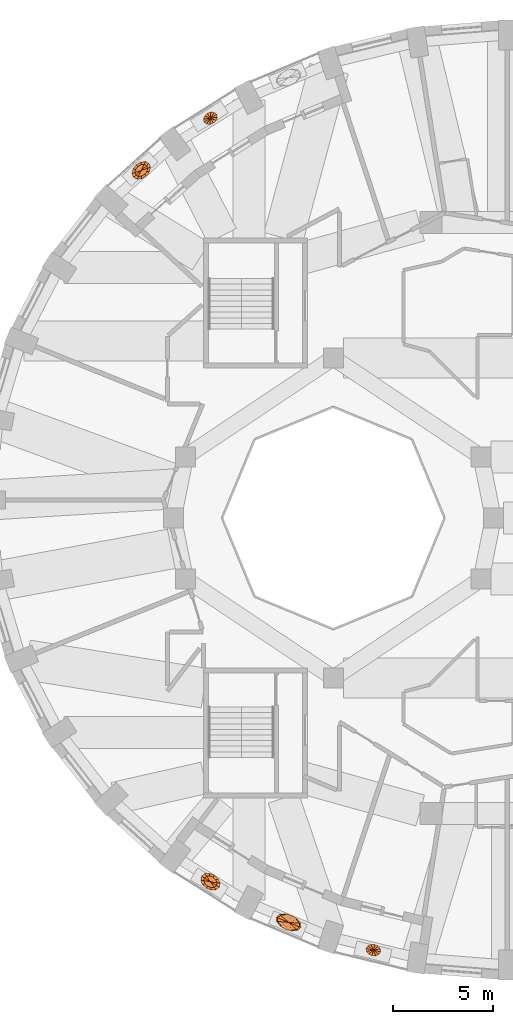
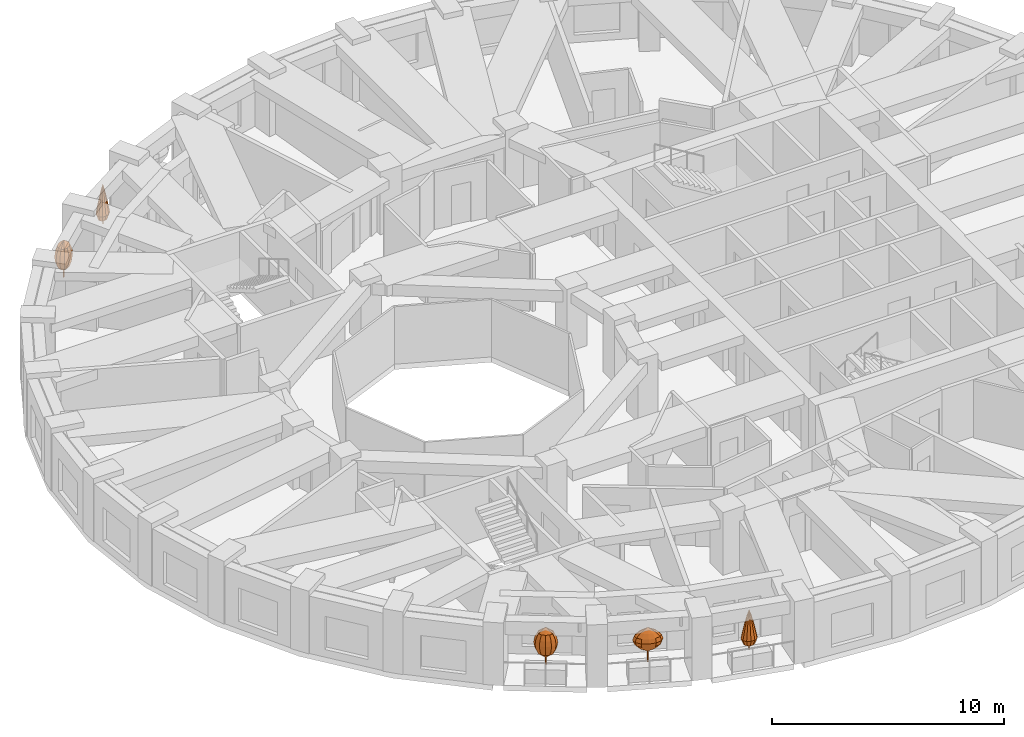
# One storey, part 11 of 12: 5 geographic elements.
"""IFC4 building model written with IfcOpenShell, lengths in metres."""

from ifc_helpers import new_model, si_unit, direction, frame, origin, place, context, subcontext, project, spatial, faceted_brep, material, constituent, constituent_set, type_object, element, save


model = new_model("IFC4")

# Units and contexts
model_context = context("Model", 3, precision=1e-05, world=origin(), true_north=direction((0.0, 1.0)))
body_context = subcontext(model_context, "Body", "Model", "MODEL_VIEW")
ifc_project = project(units=[si_unit("LENGTHUNIT", "METRE"), si_unit("AREAUNIT", "SQUARE_METRE"), si_unit("VOLUMEUNIT", "CUBIC_METRE"), si_unit("PLANEANGLEUNIT", "RADIAN"), si_unit("MASSUNIT", "GRAM", prefix="KILO")], contexts=[model_context])

# Site, building, storey
site_placement = place(None, origin())
site = spatial("IfcSite", under=ifc_project, at=site_placement, CompositionType="ELEMENT")
building_placement = place(site_placement, origin())
building = spatial("IfcBuilding", under=site, at=building_placement, Name="Taillehof Tower", CompositionType="ELEMENT")
storey_placement = place(building_placement, frame((0.0, 0.0, 209.0)))
storey = spatial("IfcBuildingStorey", under=building, at=storey_placement, Name="L59", CompositionType="ELEMENT", Elevation=209.0)

# Geographic elements
ifc_material_1 = material(Name="Tree bark", Category="timber")
ifc_constituent_1 = constituent(ifc_material_1, Name="Trunk", Category="timber")
ifc_material_2 = material(Name="Tree foliage")
ifc_constituent_2 = constituent(ifc_material_2, Name="Crown")
ifc_constituent_set_1 = constituent_set(constituents=[ifc_constituent_1, ifc_constituent_2], Name="Tree TR2 Fastigiate yew")
geographic_element_type_1 = type_object("IfcGeographicElementType", Name="Tree TR2 Fastigiate yew", PredefinedType="USERDEFINED", material=ifc_constituent_set_1)
geographic_element_1_placement = place(storey_placement, frame((-14.14501953125, -18.188232421875, 0.75)))
element("IfcGeographicElement", 1, at=geographic_element_1_placement, inside=storey, type_object=geographic_element_type_1, Name="Tree TR2 Fastigiate yew", ObjectType="TREE", PredefinedType="USERDEFINED", context=body_context, shape_type="Brep", body=[
    faceted_brep([(0.034912109375, 0.0, 0.0), (0.024658203125, 0.024658203125, 0.0), (0.024658203125, 0.024658203125, 0.909912109375), (0.034912109375, 0.0, 0.909912109375), (0.0, 0.034912109375, 0.0), (0.0, 0.034912109375, 0.909912109375), (-0.024658203125, 0.024658203125, 0.0), (-0.024658203125, 0.024658203125, 0.909912109375), (-0.034912109375, 0.0, 0.0), (-0.034912109375, 0.0, 0.909912109375), (-0.024658203125, -0.024658203125, 0.0), (-0.024658203125, -0.024658203125, 0.909912109375), (0.0, -0.034912109375, 0.0), (0.0, -0.034912109375, 0.909912109375), (0.024658203125, -0.024658203125, 0.0), (0.024658203125, -0.024658203125, 0.909912109375)], [[[0, 1, 2, 3]], [[1, 4, 5, 2]], [[4, 6, 7, 5]], [[6, 8, 9, 7]], [[8, 10, 11, 9]], [[10, 12, 13, 11]], [[12, 14, 15, 13]], [[14, 0, 3, 15]], [[14, 12, 10, 8, 6, 4, 1, 0]], [[3, 2, 5, 7, 9, 11, 13, 15]]]),
    faceted_brep([(0.0, 0.0, 0.35009765625), (0.33056640625, -0.054931640625, 0.61669921875), (0.302001953125, -0.190185546875, 0.61669921875), (0.270751953125, 0.09521484375, 0.61669921875), (0.138427734375, 0.2197265625, 0.61669921875), (-0.03125, 0.285400390625, 0.61669921875), (-0.1923828125, 0.2744140625, 0.61669921875), (-0.302001953125, 0.190185546875, 0.61669921875), (-0.33056640625, 0.054931640625, 0.61669921875), (-0.270751953125, -0.09521484375, 0.61669921875), (-0.138427734375, -0.2197265625, 0.61669921875), (0.03125, -0.285400390625, 0.61669921875), (0.1923828125, -0.2744140625, 0.61669921875), (0.447265625, -0.07421875, 0.88330078125), (0.408447265625, -0.25732421875, 0.88330078125), (0.3662109375, 0.128662109375, 0.88330078125), (0.18701171875, 0.297119140625, 0.88330078125), (-0.042236328125, 0.385986328125, 0.88330078125), (-0.26025390625, 0.371337890625, 0.88330078125), (-0.408447265625, 0.25732421875, 0.88330078125), (-0.447265625, 0.07421875, 0.88330078125), (-0.3662109375, -0.128662109375, 0.88330078125), (-0.18701171875, -0.297119140625, 0.88330078125), (0.042236328125, -0.385986328125, 0.88330078125), (0.26025390625, -0.371337890625, 0.88330078125), (0.484130859375, -0.080322265625, 1.14990234375), (0.442138671875, -0.278564453125, 1.14990234375), (0.396484375, 0.13916015625, 1.14990234375), (0.20263671875, 0.321533203125, 1.14990234375), (-0.045654296875, 0.417724609375, 1.14990234375), (-0.28173828125, 0.40185546875, 1.14990234375), (-0.442138671875, 0.278564453125, 1.14990234375), (-0.484130859375, 0.080322265625, 1.14990234375), (-0.396484375, -0.13916015625, 1.14990234375), (-0.20263671875, -0.321533203125, 1.14990234375), (0.045654296875, -0.417724609375, 1.14990234375), (0.28173828125, -0.40185546875, 1.14990234375), (0.447265625, -0.07421875, 1.416748046875), (0.408447265625, -0.25732421875, 1.416748046875), (0.3662109375, 0.128662109375, 1.416748046875), (0.18701171875, 0.297119140625, 1.416748046875), (-0.042236328125, 0.385986328125, 1.416748046875), (-0.26025390625, 0.371337890625, 1.416748046875), (-0.408447265625, 0.25732421875, 1.416748046875), (-0.447265625, 0.07421875, 1.416748046875), (-0.3662109375, -0.128662109375, 1.416748046875), (-0.18701171875, -0.297119140625, 1.416748046875), (0.042236328125, -0.385986328125, 1.416748046875), (0.26025390625, -0.371337890625, 1.416748046875), (0.33056640625, -0.054931640625, 1.683349609375), (0.302001953125, -0.190185546875, 1.683349609375), (0.270751953125, 0.09521484375, 1.683349609375), (0.138427734375, 0.2197265625, 1.683349609375), (-0.03125, 0.285400390625, 1.683349609375), (-0.1923828125, 0.2744140625, 1.683349609375), (-0.302001953125, 0.190185546875, 1.683349609375), (-0.33056640625, 0.054931640625, 1.683349609375), (-0.270751953125, -0.09521484375, 1.683349609375), (-0.138427734375, -0.2197265625, 1.683349609375), (0.03125, -0.285400390625, 1.683349609375), (0.1923828125, -0.2744140625, 1.683349609375), (0.0, 0.0, 1.949951171875)], [[[0, 1, 2]], [[0, 3, 1]], [[0, 4, 3]], [[0, 5, 4]], [[0, 6, 5]], [[0, 7, 6]], [[0, 8, 7]], [[0, 9, 8]], [[0, 10, 9]], [[0, 11, 10]], [[0, 12, 11]], [[0, 2, 12]], [[2, 1, 13, 14]], [[1, 3, 15, 13]], [[3, 4, 16, 15]], [[4, 5, 17, 16]], [[5, 6, 18, 17]], [[6, 7, 19, 18]], [[7, 8, 20, 19]], [[8, 9, 21, 20]], [[9, 10, 22, 21]], [[10, 11, 23, 22]], [[11, 12, 24, 23]], [[12, 2, 14, 24]], [[14, 13, 25, 26]], [[13, 15, 27, 25]], [[15, 16, 28, 27]], [[16, 17, 29, 28]], [[17, 18, 30, 29]], [[18, 19, 31, 30]], [[19, 20, 32, 31]], [[20, 21, 33, 32]], [[21, 22, 34, 33]], [[22, 23, 35, 34]], [[23, 24, 36, 35]], [[24, 14, 26, 36]], [[26, 25, 37, 38]], [[25, 27, 39, 37]], [[27, 28, 40, 39]], [[28, 29, 41, 40]], [[29, 30, 42, 41]], [[30, 31, 43, 42]], [[31, 32, 44, 43]], [[32, 33, 45, 44]], [[33, 34, 46, 45]], [[34, 35, 47, 46]], [[35, 36, 48, 47]], [[36, 26, 38, 48]], [[38, 37, 49, 50]], [[37, 39, 51, 49]], [[39, 40, 52, 51]], [[40, 41, 53, 52]], [[41, 42, 54, 53]], [[42, 43, 55, 54]], [[43, 44, 56, 55]], [[44, 45, 57, 56]], [[45, 46, 58, 57]], [[46, 47, 59, 58]], [[47, 48, 60, 59]], [[48, 38, 50, 60]], [[50, 49, 61]], [[49, 51, 61]], [[51, 52, 61]], [[52, 53, 61]], [[53, 54, 61]], [[54, 55, 61]], [[55, 56, 61]], [[56, 57, 61]], [[57, 58, 61]], [[58, 59, 61]], [[59, 60, 61]], [[60, 50, 61]]]),
])
geographic_element_2_placement = place(storey_placement, frame((-17.60205078125, 17.378662109375, 0.75)))
element("IfcGeographicElement", 2, at=geographic_element_2_placement, inside=storey, type_object=geographic_element_type_1, Name="Tree TR2 Fastigiate yew", ObjectType="TREE", PredefinedType="USERDEFINED", context=body_context, shape_type="Brep", body=[
    faceted_brep([(0.034912109375, 0.0, 0.0), (0.024658203125, 0.024658203125, 0.0), (0.024658203125, 0.024658203125, 0.909912109375), (0.034912109375, 0.0, 0.909912109375), (0.0, 0.034912109375, 0.0), (0.0, 0.034912109375, 0.909912109375), (-0.024658203125, 0.024658203125, 0.0), (-0.024658203125, 0.024658203125, 0.909912109375), (-0.034912109375, 0.0, 0.0), (-0.034912109375, 0.0, 0.909912109375), (-0.024658203125, -0.024658203125, 0.0), (-0.024658203125, -0.024658203125, 0.909912109375), (0.0, -0.034912109375, 0.0), (0.0, -0.034912109375, 0.909912109375), (0.024658203125, -0.024658203125, 0.0), (0.024658203125, -0.024658203125, 0.909912109375)], [[[0, 1, 2, 3]], [[1, 4, 5, 2]], [[4, 6, 7, 5]], [[6, 8, 9, 7]], [[8, 10, 11, 9]], [[10, 12, 13, 11]], [[12, 14, 15, 13]], [[14, 0, 3, 15]], [[14, 12, 10, 8, 6, 4, 1, 0]], [[3, 2, 5, 7, 9, 11, 13, 15]]]),
    faceted_brep([(0.0, 0.0, 0.35009765625), (-0.14306640625, -0.30322265625, 0.61669921875), (-0.265380859375, -0.23876953125, 0.61669921875), (0.017578125, -0.286376953125, 0.61669921875), (0.173583984375, -0.19287109375, 0.61669921875), (0.282958984375, -0.0478515625, 0.61669921875), (0.316650390625, 0.110107421875, 0.61669921875), (0.265380859375, 0.23876953125, 0.61669921875), (0.14306640625, 0.30322265625, 0.61669921875), (-0.017578125, 0.286376953125, 0.61669921875), (-0.173583984375, 0.19287109375, 0.61669921875), (-0.282958984375, 0.0478515625, 0.61669921875), (-0.316650390625, -0.110107421875, 0.61669921875), (-0.193359375, -0.41015625, 0.88330078125), (-0.35888671875, -0.32275390625, 0.88330078125), (0.02392578125, -0.387451171875, 0.88330078125), (0.23486328125, -0.260986328125, 0.88330078125), (0.3828125, -0.064697265625, 0.88330078125), (0.42822265625, 0.149169921875, 0.88330078125), (0.35888671875, 0.32275390625, 0.88330078125), (0.193359375, 0.41015625, 0.88330078125), (-0.02392578125, 0.387451171875, 0.88330078125), (-0.23486328125, 0.260986328125, 0.88330078125), (-0.3828125, 0.064697265625, 0.88330078125), (-0.42822265625, -0.149169921875, 0.88330078125), (-0.209228515625, -0.44384765625, 1.14990234375), (-0.388427734375, -0.349365234375, 1.14990234375), (0.02587890625, -0.41943359375, 1.14990234375), (0.254150390625, -0.282470703125, 1.14990234375), (0.414306640625, -0.06982421875, 1.14990234375), (0.46337890625, 0.161376953125, 1.14990234375), (0.388427734375, 0.349365234375, 1.14990234375), (0.209228515625, 0.44384765625, 1.14990234375), (-0.02587890625, 0.41943359375, 1.14990234375), (-0.254150390625, 0.282470703125, 1.14990234375), (-0.414306640625, 0.06982421875, 1.14990234375), (-0.46337890625, -0.161376953125, 1.14990234375), (-0.193359375, -0.41015625, 1.416748046875), (-0.35888671875, -0.32275390625, 1.416748046875), (0.02392578125, -0.387451171875, 1.416748046875), (0.23486328125, -0.260986328125, 1.416748046875), (0.3828125, -0.064697265625, 1.416748046875), (0.42822265625, 0.149169921875, 1.416748046875), (0.35888671875, 0.32275390625, 1.416748046875), (0.193359375, 0.41015625, 1.416748046875), (-0.02392578125, 0.387451171875, 1.416748046875), (-0.23486328125, 0.260986328125, 1.416748046875), (-0.3828125, 0.064697265625, 1.416748046875), (-0.42822265625, -0.149169921875, 1.416748046875), (-0.14306640625, -0.30322265625, 1.683349609375), (-0.265380859375, -0.23876953125, 1.683349609375), (0.017578125, -0.286376953125, 1.683349609375), (0.173583984375, -0.19287109375, 1.683349609375), (0.282958984375, -0.0478515625, 1.683349609375), (0.316650390625, 0.110107421875, 1.683349609375), (0.265380859375, 0.23876953125, 1.683349609375), (0.14306640625, 0.30322265625, 1.683349609375), (-0.017578125, 0.286376953125, 1.683349609375), (-0.173583984375, 0.19287109375, 1.683349609375), (-0.282958984375, 0.0478515625, 1.683349609375), (-0.316650390625, -0.110107421875, 1.683349609375), (0.0, 0.0, 1.949951171875)], [[[0, 1, 2]], [[0, 3, 1]], [[0, 4, 3]], [[0, 5, 4]], [[0, 6, 5]], [[0, 7, 6]], [[0, 8, 7]], [[0, 9, 8]], [[0, 10, 9]], [[0, 11, 10]], [[0, 12, 11]], [[0, 2, 12]], [[2, 1, 13, 14]], [[1, 3, 15, 13]], [[3, 4, 16, 15]], [[4, 5, 17, 16]], [[5, 6, 18, 17]], [[6, 7, 19, 18]], [[7, 8, 20, 19]], [[8, 9, 21, 20]], [[9, 10, 22, 21]], [[10, 11, 23, 22]], [[11, 12, 24, 23]], [[12, 2, 14, 24]], [[14, 13, 25, 26]], [[13, 15, 27, 25]], [[15, 16, 28, 27]], [[16, 17, 29, 28]], [[17, 18, 30, 29]], [[18, 19, 31, 30]], [[19, 20, 32, 31]], [[20, 21, 33, 32]], [[21, 22, 34, 33]], [[22, 23, 35, 34]], [[23, 24, 36, 35]], [[24, 14, 26, 36]], [[26, 25, 37, 38]], [[25, 27, 39, 37]], [[27, 28, 40, 39]], [[28, 29, 41, 40]], [[29, 30, 42, 41]], [[30, 31, 43, 42]], [[31, 32, 44, 43]], [[32, 33, 45, 44]], [[33, 34, 46, 45]], [[34, 35, 47, 46]], [[35, 36, 48, 47]], [[36, 26, 38, 48]], [[38, 37, 49, 50]], [[37, 39, 51, 49]], [[39, 40, 52, 51]], [[40, 41, 53, 52]], [[41, 42, 54, 53]], [[42, 43, 55, 54]], [[43, 44, 56, 55]], [[44, 45, 57, 56]], [[45, 46, 58, 57]], [[46, 47, 59, 58]], [[47, 48, 60, 59]], [[48, 38, 50, 60]], [[50, 49, 61]], [[49, 51, 61]], [[51, 52, 61]], [[52, 53, 61]], [[53, 54, 61]], [[54, 55, 61]], [[55, 56, 61]], [[56, 57, 61]], [[57, 58, 61]], [[58, 59, 61]], [[59, 60, 61]], [[60, 50, 61]]]),
])
ifc_material_3 = material(Name="Tree bark", Category="timber")
ifc_constituent_3 = constituent(ifc_material_3, Name="Trunk", Category="timber")
ifc_material_4 = material(Name="Tree foliage")
ifc_constituent_4 = constituent(ifc_material_4, Name="Crown")
ifc_constituent_set_2 = constituent_set(constituents=[ifc_constituent_3, ifc_constituent_4], Name="Tree TR4 Sea buckthorn standard")
geographic_element_type_2 = type_object("IfcGeographicElementType", Name="Tree TR4 Sea buckthorn standard", PredefinedType="USERDEFINED", material=ifc_constituent_set_2)
geographic_element_3_placement = place(storey_placement, frame((-10.2373046875, -20.218017578125, 0.75)))
element("IfcGeographicElement", 3, at=geographic_element_3_placement, inside=storey, type_object=geographic_element_type_2, Name="Tree TR4 Sea buckthorn standard", ObjectType="TREE", PredefinedType="USERDEFINED", context=body_context, shape_type="Brep", body=[
    faceted_brep([(0.030029296875, 0.0, 0.0), (0.021240234375, 0.021240234375, 0.0), (0.021240234375, 0.021240234375, 0.98095703125), (0.030029296875, 0.0, 0.98095703125), (0.0, 0.030029296875, 0.0), (0.0, 0.030029296875, 0.98095703125), (-0.021240234375, 0.021240234375, 0.0), (-0.021240234375, 0.021240234375, 0.98095703125), (-0.030029296875, 0.0, 0.0), (-0.030029296875, 0.0, 0.98095703125), (-0.021240234375, -0.021240234375, 0.0), (-0.021240234375, -0.021240234375, 0.98095703125), (0.0, -0.030029296875, 0.0), (0.0, -0.030029296875, 0.98095703125), (0.021240234375, -0.021240234375, 0.0), (0.021240234375, -0.021240234375, 0.98095703125)], [[[0, 1, 2, 3]], [[1, 4, 5, 2]], [[4, 6, 7, 5]], [[6, 8, 9, 7]], [[8, 10, 11, 9]], [[10, 12, 13, 11]], [[12, 14, 15, 13]], [[14, 0, 3, 15]], [[14, 12, 10, 8, 6, 4, 1, 0]], [[3, 2, 5, 7, 9, 11, 13, 15]]]),
    faceted_brep([(0.0, 0.0, 0.5400390625), (0.34716796875, -0.02734375, 0.75), (0.352294921875, -0.147705078125, 0.75), (0.249267578125, 0.100341796875, 0.75), (0.08447265625, 0.201171875, 0.75), (-0.10302734375, 0.248046875, 0.75), (-0.2626953125, 0.228515625, 0.75), (-0.352294921875, 0.147705078125, 0.75), (-0.34716796875, 0.02734375, 0.75), (-0.249267578125, -0.100341796875, 0.75), (-0.08447265625, -0.201171875, 0.75), (0.10302734375, -0.248046875, 0.75), (0.2626953125, -0.228515625, 0.75), (0.538818359375, -0.04248046875, 0.9599609375), (0.546630859375, -0.229248046875, 0.9599609375), (0.38671875, 0.15576171875, 0.9599609375), (0.131103515625, 0.312255859375, 0.9599609375), (-0.159912109375, 0.385009765625, 0.9599609375), (-0.407958984375, 0.354736328125, 0.9599609375), (-0.546630859375, 0.229248046875, 0.9599609375), (-0.538818359375, 0.04248046875, 0.9599609375), (-0.38671875, -0.15576171875, 0.9599609375), (-0.131103515625, -0.312255859375, 0.9599609375), (0.159912109375, -0.385009765625, 0.9599609375), (0.407958984375, -0.354736328125, 0.9599609375), (0.6044921875, -0.047607421875, 1.169921875), (0.61328125, -0.25732421875, 1.169921875), (0.433837890625, 0.1748046875, 1.169921875), (0.14697265625, 0.350341796875, 1.169921875), (-0.179443359375, 0.43212890625, 1.169921875), (-0.45751953125, 0.39794921875, 1.169921875), (-0.61328125, 0.25732421875, 1.169921875), (-0.6044921875, 0.047607421875, 1.169921875), (-0.433837890625, -0.1748046875, 1.169921875), (-0.14697265625, -0.350341796875, 1.169921875), (0.179443359375, -0.43212890625, 1.169921875), (0.45751953125, -0.39794921875, 1.169921875), (0.538818359375, -0.04248046875, 1.3798828125), (0.546630859375, -0.229248046875, 1.3798828125), (0.38671875, 0.15576171875, 1.3798828125), (0.131103515625, 0.312255859375, 1.3798828125), (-0.159912109375, 0.385009765625, 1.3798828125), (-0.407958984375, 0.354736328125, 1.3798828125), (-0.546630859375, 0.229248046875, 1.3798828125), (-0.538818359375, 0.04248046875, 1.3798828125), (-0.38671875, -0.15576171875, 1.3798828125), (-0.131103515625, -0.312255859375, 1.3798828125), (0.159912109375, -0.385009765625, 1.3798828125), (0.407958984375, -0.354736328125, 1.3798828125), (0.34716796875, -0.02734375, 1.590087890625), (0.352294921875, -0.147705078125, 1.590087890625), (0.249267578125, 0.100341796875, 1.590087890625), (0.08447265625, 0.201171875, 1.590087890625), (-0.10302734375, 0.248046875, 1.590087890625), (-0.2626953125, 0.228515625, 1.590087890625), (-0.352294921875, 0.147705078125, 1.590087890625), (-0.34716796875, 0.02734375, 1.590087890625), (-0.249267578125, -0.100341796875, 1.590087890625), (-0.08447265625, -0.201171875, 1.590087890625), (0.10302734375, -0.248046875, 1.590087890625), (0.2626953125, -0.228515625, 1.590087890625), (0.0, 0.0, 1.800048828125)], [[[0, 1, 2]], [[0, 3, 1]], [[0, 4, 3]], [[0, 5, 4]], [[0, 6, 5]], [[0, 7, 6]], [[0, 8, 7]], [[0, 9, 8]], [[0, 10, 9]], [[0, 11, 10]], [[0, 12, 11]], [[0, 2, 12]], [[2, 1, 13, 14]], [[1, 3, 15, 13]], [[3, 4, 16, 15]], [[4, 5, 17, 16]], [[5, 6, 18, 17]], [[6, 7, 19, 18]], [[7, 8, 20, 19]], [[8, 9, 21, 20]], [[9, 10, 22, 21]], [[10, 11, 23, 22]], [[11, 12, 24, 23]], [[12, 2, 14, 24]], [[14, 13, 25, 26]], [[13, 15, 27, 25]], [[15, 16, 28, 27]], [[16, 17, 29, 28]], [[17, 18, 30, 29]], [[18, 19, 31, 30]], [[19, 20, 32, 31]], [[20, 21, 33, 32]], [[21, 22, 34, 33]], [[22, 23, 35, 34]], [[23, 24, 36, 35]], [[24, 14, 26, 36]], [[26, 25, 37, 38]], [[25, 27, 39, 37]], [[27, 28, 40, 39]], [[28, 29, 41, 40]], [[29, 30, 42, 41]], [[30, 31, 43, 42]], [[31, 32, 44, 43]], [[32, 33, 45, 44]], [[33, 34, 46, 45]], [[34, 35, 47, 46]], [[35, 36, 48, 47]], [[36, 26, 38, 48]], [[38, 37, 49, 50]], [[37, 39, 51, 49]], [[39, 40, 52, 51]], [[40, 41, 53, 52]], [[41, 42, 54, 53]], [[42, 43, 55, 54]], [[43, 44, 56, 55]], [[44, 45, 57, 56]], [[45, 46, 58, 57]], [[46, 47, 59, 58]], [[47, 48, 60, 59]], [[48, 38, 50, 60]], [[50, 49, 61]], [[49, 51, 61]], [[51, 52, 61]], [[52, 53, 61]], [[53, 54, 61]], [[54, 55, 61]], [[55, 56, 61]], [[56, 57, 61]], [[57, 58, 61]], [[58, 59, 61]], [[59, 60, 61]], [[60, 50, 61]]]),
])
ifc_material_5 = material(Name="Tree bark", Category="timber")
ifc_constituent_5 = constituent(ifc_material_5, Name="Trunk", Category="timber")
ifc_material_6 = material(Name="Tree foliage")
ifc_constituent_6 = constituent(ifc_material_6, Name="Crown")
ifc_constituent_set_3 = constituent_set(constituents=[ifc_constituent_5, ifc_constituent_6], Name="Tree TR5 Columnar juniper")
geographic_element_type_3 = type_object("IfcGeographicElementType", Name="Tree TR5 Columnar juniper", PredefinedType="USERDEFINED", material=ifc_constituent_set_3)
geographic_element_4_placement = place(storey_placement, frame((-5.997802734375, -21.60595703125, 0.75)))
element("IfcGeographicElement", 4, at=geographic_element_4_placement, inside=storey, type_object=geographic_element_type_3, Name="Tree TR5 Columnar juniper", ObjectType="TREE", PredefinedType="USERDEFINED", context=body_context, shape_type="Brep", body=[
    faceted_brep([(0.02490234375, 0.0, 0.0), (0.017578125, 0.017578125, 0.0), (0.017578125, 0.017578125, 0.929931640625), (0.02490234375, 0.0, 0.929931640625), (0.0, 0.02490234375, 0.0), (0.0, 0.02490234375, 0.929931640625), (-0.017578125, 0.017578125, 0.0), (-0.017578125, 0.017578125, 0.929931640625), (-0.02490234375, 0.0, 0.0), (-0.02490234375, 0.0, 0.929931640625), (-0.017578125, -0.017578125, 0.0), (-0.017578125, -0.017578125, 0.929931640625), (0.0, -0.02490234375, 0.0), (0.0, -0.02490234375, 0.929931640625), (0.017578125, -0.017578125, 0.0), (0.017578125, -0.017578125, 0.929931640625)], [[[0, 1, 2, 3]], [[1, 4, 5, 2]], [[4, 6, 7, 5]], [[6, 8, 9, 7]], [[8, 10, 11, 9]], [[10, 12, 13, 11]], [[12, 14, 15, 13]], [[14, 0, 3, 15]], [[14, 12, 10, 8, 6, 4, 1, 0]], [[3, 2, 5, 7, 9, 11, 13, 15]]]),
    faceted_brep([(0.24072265625, -0.05810546875, 0.300048828125), (0.23095703125, 0.04345703125, 0.300048828125), (0.3447265625, 0.064697265625, 0.60009765625), (0.359130859375, -0.086669921875, 0.60009765625), (0.159423828125, 0.133056640625, 0.300048828125), (0.23779296875, 0.19873046875, 0.60009765625), (0.045166015625, 0.187255859375, 0.300048828125), (0.0673828125, 0.279296875, 0.60009765625), (-0.081298828125, 0.191162109375, 0.300048828125), (-0.121337890625, 0.28515625, 0.60009765625), (-0.185791015625, 0.143798828125, 0.300048828125), (-0.27734375, 0.214599609375, 0.60009765625), (-0.24072265625, 0.05810546875, 0.300048828125), (-0.359130859375, 0.086669921875, 0.60009765625), (-0.23095703125, -0.04345703125, 0.300048828125), (-0.3447265625, -0.064697265625, 0.60009765625), (-0.159423828125, -0.133056640625, 0.300048828125), (-0.23779296875, -0.19873046875, 0.60009765625), (-0.045166015625, -0.187255859375, 0.300048828125), (-0.0673828125, -0.279296875, 0.60009765625), (0.081298828125, -0.191162109375, 0.300048828125), (0.121337890625, -0.28515625, 0.60009765625), (0.185791015625, -0.143798828125, 0.300048828125), (0.27734375, -0.214599609375, 0.60009765625), (0.288330078125, 0.05419921875, 0.89990234375), (0.300537109375, -0.072509765625, 0.89990234375), (0.198974609375, 0.166259765625, 0.89990234375), (0.056396484375, 0.233642578125, 0.89990234375), (-0.1015625, 0.238525390625, 0.89990234375), (-0.23193359375, 0.1796875, 0.89990234375), (-0.300537109375, 0.072509765625, 0.89990234375), (-0.288330078125, -0.05419921875, 0.89990234375), (-0.198974609375, -0.166259765625, 0.89990234375), (-0.056396484375, -0.233642578125, 0.89990234375), (0.1015625, -0.238525390625, 0.89990234375), (0.23193359375, -0.1796875, 0.89990234375), (0.22900390625, 0.04296875, 1.199951171875), (0.23876953125, -0.0576171875, 1.199951171875), (0.158203125, 0.132080078125, 1.199951171875), (0.044677734375, 0.185546875, 1.199951171875), (-0.08056640625, 0.189453125, 1.199951171875), (-0.184326171875, 0.142578125, 1.199951171875), (-0.23876953125, 0.0576171875, 1.199951171875), (-0.22900390625, -0.04296875, 1.199951171875), (-0.158203125, -0.132080078125, 1.199951171875), (-0.044677734375, -0.185546875, 1.199951171875), (0.08056640625, -0.189453125, 1.199951171875), (0.184326171875, -0.142578125, 1.199951171875), (0.16552734375, 0.031005859375, 1.5), (0.172607421875, -0.04150390625, 1.5), (0.1142578125, 0.095458984375, 1.5), (0.032470703125, 0.13427734375, 1.5), (-0.058349609375, 0.136962890625, 1.5), (-0.13330078125, 0.10302734375, 1.5), (-0.172607421875, 0.04150390625, 1.5), (-0.16552734375, -0.031005859375, 1.5), (-0.1142578125, -0.095458984375, 1.5), (-0.032470703125, -0.13427734375, 1.5), (0.058349609375, -0.136962890625, 1.5), (0.13330078125, -0.10302734375, 1.5), (0.09521484375, 0.017822265625, 1.800048828125), (0.09912109375, -0.02392578125, 1.800048828125), (0.065673828125, 0.054931640625, 1.800048828125), (0.0185546875, 0.0771484375, 1.800048828125), (-0.033447265625, 0.07861328125, 1.800048828125), (-0.07666015625, 0.059326171875, 1.800048828125), (-0.09912109375, 0.02392578125, 1.800048828125), (-0.09521484375, -0.017822265625, 1.800048828125), (-0.065673828125, -0.054931640625, 1.800048828125), (-0.0185546875, -0.0771484375, 1.800048828125), (0.033447265625, -0.07861328125, 1.800048828125), (0.07666015625, -0.059326171875, 1.800048828125), (0.0, 0.0, 2.10009765625)], [[[0, 1, 2, 3]], [[1, 4, 5, 2]], [[4, 6, 7, 5]], [[6, 8, 9, 7]], [[8, 10, 11, 9]], [[10, 12, 13, 11]], [[12, 14, 15, 13]], [[14, 16, 17, 15]], [[16, 18, 19, 17]], [[18, 20, 21, 19]], [[20, 22, 23, 21]], [[22, 0, 3, 23]], [[3, 2, 24, 25]], [[2, 5, 26, 24]], [[5, 7, 27, 26]], [[7, 9, 28, 27]], [[9, 11, 29, 28]], [[11, 13, 30, 29]], [[13, 15, 31, 30]], [[15, 17, 32, 31]], [[17, 19, 33, 32]], [[19, 21, 34, 33]], [[21, 23, 35, 34]], [[23, 3, 25, 35]], [[25, 24, 36, 37]], [[24, 26, 38, 36]], [[26, 27, 39, 38]], [[27, 28, 40, 39]], [[28, 29, 41, 40]], [[29, 30, 42, 41]], [[30, 31, 43, 42]], [[31, 32, 44, 43]], [[32, 33, 45, 44]], [[33, 34, 46, 45]], [[34, 35, 47, 46]], [[35, 25, 37, 47]], [[37, 36, 48, 49]], [[36, 38, 50, 48]], [[38, 39, 51, 50]], [[39, 40, 52, 51]], [[40, 41, 53, 52]], [[41, 42, 54, 53]], [[42, 43, 55, 54]], [[43, 44, 56, 55]], [[44, 45, 57, 56]], [[45, 46, 58, 57]], [[46, 47, 59, 58]], [[47, 37, 49, 59]], [[49, 48, 60, 61]], [[48, 50, 62, 60]], [[50, 51, 63, 62]], [[51, 52, 64, 63]], [[52, 53, 65, 64]], [[53, 54, 66, 65]], [[54, 55, 67, 66]], [[55, 56, 68, 67]], [[56, 57, 69, 68]], [[57, 58, 70, 69]], [[58, 59, 71, 70]], [[59, 49, 61, 71]], [[61, 60, 72]], [[60, 62, 72]], [[62, 63, 72]], [[63, 64, 72]], [[64, 65, 72]], [[65, 66, 72]], [[66, 67, 72]], [[67, 68, 72]], [[68, 69, 72]], [[69, 70, 72]], [[70, 71, 72]], [[71, 61, 72]], [[22, 20, 18, 16, 14, 12, 10, 8, 6, 4, 1, 0]]]),
])
geographic_element_5_placement = place(storey_placement, frame((-14.14501953125, 19.98828125, 0.75)))
element("IfcGeographicElement", 5, at=geographic_element_5_placement, inside=storey, type_object=geographic_element_type_3, Name="Tree TR5 Columnar juniper", ObjectType="TREE", PredefinedType="USERDEFINED", context=body_context, shape_type="Brep", body=[
    faceted_brep([(0.02490234375, 0.0, 0.0), (0.017578125, 0.017578125, 0.0), (0.017578125, 0.017578125, 0.929931640625), (0.02490234375, 0.0, 0.929931640625), (0.0, 0.02490234375, 0.0), (0.0, 0.02490234375, 0.929931640625), (-0.017578125, 0.017578125, 0.0), (-0.017578125, 0.017578125, 0.929931640625), (-0.02490234375, 0.0, 0.0), (-0.02490234375, 0.0, 0.929931640625), (-0.017578125, -0.017578125, 0.0), (-0.017578125, -0.017578125, 0.929931640625), (0.0, -0.02490234375, 0.0), (0.0, -0.02490234375, 0.929931640625), (0.017578125, -0.017578125, 0.0), (0.017578125, -0.017578125, 0.929931640625)], [[[0, 1, 2, 3]], [[1, 4, 5, 2]], [[4, 6, 7, 5]], [[6, 8, 9, 7]], [[8, 10, 11, 9]], [[10, 12, 13, 11]], [[12, 14, 15, 13]], [[14, 0, 3, 15]], [[14, 12, 10, 8, 6, 4, 1, 0]], [[3, 2, 5, 7, 9, 11, 13, 15]]]),
    faceted_brep([(-0.20947265625, -0.1318359375, 0.300048828125), (-0.130126953125, -0.195556640625, 0.300048828125), (-0.194091796875, -0.2919921875, 0.60009765625), (-0.312744140625, -0.197021484375, 0.60009765625), (-0.015869140625, -0.20703125, 0.300048828125), (-0.023681640625, -0.30908203125, 0.60009765625), (0.1025390625, -0.162841796875, 0.300048828125), (0.153076171875, -0.2431640625, 0.60009765625), (0.193603515625, -0.0751953125, 0.300048828125), (0.2890625, -0.112060546875, 0.60009765625), (0.232666015625, 0.03271484375, 0.300048828125), (0.347412109375, 0.049072265625, 0.60009765625), (0.20947265625, 0.1318359375, 0.300048828125), (0.312744140625, 0.197021484375, 0.60009765625), (0.130126953125, 0.195556640625, 0.300048828125), (0.194091796875, 0.2919921875, 0.60009765625), (0.015869140625, 0.20703125, 0.300048828125), (0.023681640625, 0.30908203125, 0.60009765625), (-0.1025390625, 0.162841796875, 0.300048828125), (-0.153076171875, 0.2431640625, 0.60009765625), (-0.193603515625, 0.0751953125, 0.300048828125), (-0.2890625, 0.112060546875, 0.60009765625), (-0.232666015625, -0.03271484375, 0.300048828125), (-0.347412109375, -0.049072265625, 0.60009765625), (-0.162353515625, -0.244384765625, 0.89990234375), (-0.261474609375, -0.164794921875, 0.89990234375), (-0.019775390625, -0.258544921875, 0.89990234375), (0.128173828125, -0.203369140625, 0.89990234375), (0.24169921875, -0.09375, 0.89990234375), (0.29052734375, 0.041015625, 0.89990234375), (0.261474609375, 0.164794921875, 0.89990234375), (0.162353515625, 0.244384765625, 0.89990234375), (0.019775390625, 0.258544921875, 0.89990234375), (-0.128173828125, 0.203369140625, 0.89990234375), (-0.24169921875, 0.09375, 0.89990234375), (-0.29052734375, -0.041015625, 0.89990234375), (-0.129150390625, -0.194091796875, 1.199951171875), (-0.207763671875, -0.130859375, 1.199951171875), (-0.015625, -0.205322265625, 1.199951171875), (0.101806640625, -0.16162109375, 1.199951171875), (0.192138671875, -0.074462890625, 1.199951171875), (0.230712890625, 0.032470703125, 1.199951171875), (0.207763671875, 0.130859375, 1.199951171875), (0.129150390625, 0.194091796875, 1.199951171875), (0.015625, 0.205322265625, 1.199951171875), (-0.101806640625, 0.16162109375, 1.199951171875), (-0.192138671875, 0.074462890625, 1.199951171875), (-0.230712890625, -0.032470703125, 1.199951171875), (-0.09326171875, -0.140380859375, 1.5), (-0.150146484375, -0.0947265625, 1.5), (-0.011474609375, -0.1484375, 1.5), (0.073486328125, -0.116943359375, 1.5), (0.138916015625, -0.053955078125, 1.5), (0.1669921875, 0.0234375, 1.5), (0.150146484375, 0.0947265625, 1.5), (0.09326171875, 0.140380859375, 1.5), (0.011474609375, 0.1484375, 1.5), (-0.073486328125, 0.116943359375, 1.5), (-0.138916015625, 0.053955078125, 1.5), (-0.1669921875, -0.0234375, 1.5), (-0.053466796875, -0.08056640625, 1.800048828125), (-0.086181640625, -0.054443359375, 1.800048828125), (-0.006591796875, -0.085205078125, 1.800048828125), (0.042236328125, -0.067138671875, 1.800048828125), (0.079833984375, -0.031005859375, 1.800048828125), (0.095947265625, 0.013427734375, 1.800048828125), (0.086181640625, 0.054443359375, 1.800048828125), (0.053466796875, 0.08056640625, 1.800048828125), (0.006591796875, 0.085205078125, 1.800048828125), (-0.042236328125, 0.067138671875, 1.800048828125), (-0.079833984375, 0.031005859375, 1.800048828125), (-0.095947265625, -0.013427734375, 1.800048828125), (0.0, 0.0, 2.10009765625)], [[[0, 1, 2, 3]], [[1, 4, 5, 2]], [[4, 6, 7, 5]], [[6, 8, 9, 7]], [[8, 10, 11, 9]], [[10, 12, 13, 11]], [[12, 14, 15, 13]], [[14, 16, 17, 15]], [[16, 18, 19, 17]], [[18, 20, 21, 19]], [[20, 22, 23, 21]], [[22, 0, 3, 23]], [[3, 2, 24, 25]], [[2, 5, 26, 24]], [[5, 7, 27, 26]], [[7, 9, 28, 27]], [[9, 11, 29, 28]], [[11, 13, 30, 29]], [[13, 15, 31, 30]], [[15, 17, 32, 31]], [[17, 19, 33, 32]], [[19, 21, 34, 33]], [[21, 23, 35, 34]], [[23, 3, 25, 35]], [[25, 24, 36, 37]], [[24, 26, 38, 36]], [[26, 27, 39, 38]], [[27, 28, 40, 39]], [[28, 29, 41, 40]], [[29, 30, 42, 41]], [[30, 31, 43, 42]], [[31, 32, 44, 43]], [[32, 33, 45, 44]], [[33, 34, 46, 45]], [[34, 35, 47, 46]], [[35, 25, 37, 47]], [[37, 36, 48, 49]], [[36, 38, 50, 48]], [[38, 39, 51, 50]], [[39, 40, 52, 51]], [[40, 41, 53, 52]], [[41, 42, 54, 53]], [[42, 43, 55, 54]], [[43, 44, 56, 55]], [[44, 45, 57, 56]], [[45, 46, 58, 57]], [[46, 47, 59, 58]], [[47, 37, 49, 59]], [[49, 48, 60, 61]], [[48, 50, 62, 60]], [[50, 51, 63, 62]], [[51, 52, 64, 63]], [[52, 53, 65, 64]], [[53, 54, 66, 65]], [[54, 55, 67, 66]], [[55, 56, 68, 67]], [[56, 57, 69, 68]], [[57, 58, 70, 69]], [[58, 59, 71, 70]], [[59, 49, 61, 71]], [[61, 60, 72]], [[60, 62, 72]], [[62, 63, 72]], [[63, 64, 72]], [[64, 65, 72]], [[65, 66, 72]], [[66, 67, 72]], [[67, 68, 72]], [[68, 69, 72]], [[69, 70, 72]], [[70, 71, 72]], [[71, 61, 72]], [[22, 20, 18, 16, 14, 12, 10, 8, 6, 4, 1, 0]]]),
])

save(model, "model.ifc")
